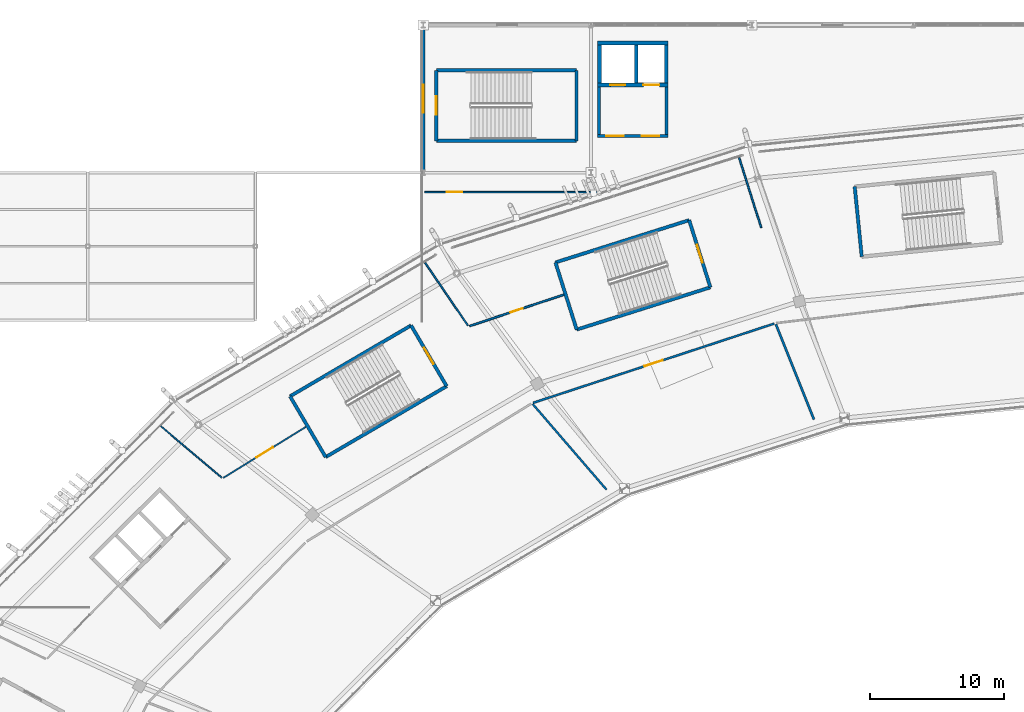
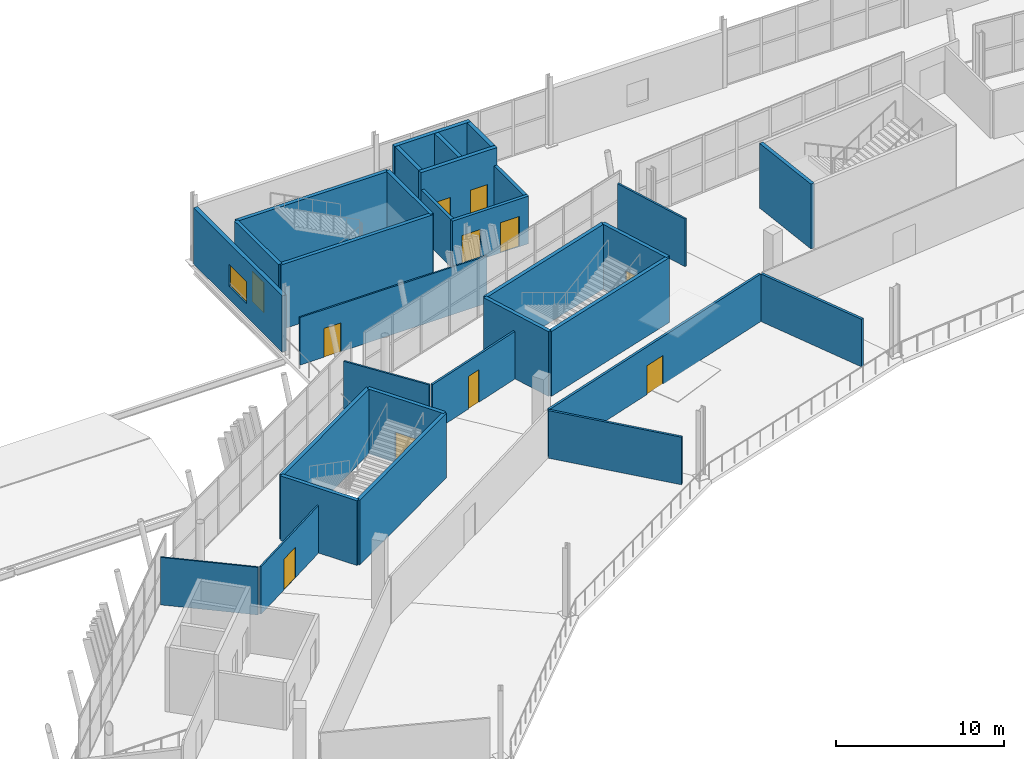
# One storey, part 133 of 179: 31 walls, 11 doors, 1 window, 12 openings.
"""IFC4 building model written with IfcOpenShell, lengths in metres."""

from ifc_helpers import new_model, si_unit, direction, frame, frame_2d, origin, place, context, subcontext, project, spatial, rectangle, extrude, material, layer, layer_set, type_object, element, fill, save


model = new_model("IFC4")

# Units and contexts
model_context = context("Model", 3, precision=1e-05, world=origin(), true_north=direction((0.0, 1.0)))
body_context = subcontext(model_context, "Body", "Model", "MODEL_VIEW")
ifc_project = project(units=[si_unit("LENGTHUNIT", "METRE"), si_unit("AREAUNIT", "SQUARE_METRE"), si_unit("VOLUMEUNIT", "CUBIC_METRE"), si_unit("PLANEANGLEUNIT", "RADIAN"), si_unit("MASSUNIT", "GRAM", prefix="KILO")], contexts=[model_context])

# Site, building, storey
site_placement = place(None, origin())
site = spatial("IfcSite", under=ifc_project, at=site_placement, CompositionType="ELEMENT")
building_placement = place(site_placement, origin())
building = spatial("IfcBuilding", under=site, at=building_placement, Name="Zlatoyarsky Gate Stadium", CompositionType="ELEMENT")
storey_placement = place(building_placement, frame((0.0, 0.0, 10.60009765625)))
storey = spatial("IfcBuildingStorey", under=building, at=storey_placement, Name="L02", CompositionType="ELEMENT", Elevation=10.60009765625)

# Wall
ifc_material_1 = material(Name="Double-stud acoustic gypsum partition", Category="gypsum")
ifc_layer_1 = layer(ifc_material_1, 0.169921875)
ifc_layer_set_1 = layer_set([ifc_layer_1], Name="Double-stud acoustic gypsum partition")
wall_type_1 = type_object("IfcWallType", Name="ACOUSTIC BROADCAST STUDIO WALL 170", PredefinedType="PARTITIONING", material=ifc_layer_set_1)
wall_1_placement = place(storey_placement, frame((91.1181640625, 130.602294921875, 0.0), z_axis=(0.0, 0.0, 1.0), x_axis=(-0.371401688327, 0.92847228602, 0.0)))
element("IfcWall", 1, at=wall_1_placement, inside=storey, type_object=wall_type_1, Name="L02 interior partition PRT-L02-IRD-07", PredefinedType="PARTITIONING", context=body_context, shape_type="SweptSolid", body=[
    extrude(rectangle(XDim=7.64501953125, YDim=0.169921875, at=frame_2d((3.822509765625, 0.0))), origin(), (0.0, 0.0, 1.0), 3.469970703125),
])

# Wall, opening, door
ifc_material_2 = material(Name="Moisture-resistant masonry partition", Category="masonry")
ifc_layer_2 = layer(ifc_material_2, 0.139892578125)
ifc_layer_set_2 = layer_set([ifc_layer_2], Name="Moisture-resistant masonry partition")
wall_type_2 = type_object("IfcWallType", Name="ATHLETE CHANGING BLOCK PARTITION 140", PredefinedType="PARTITIONING", material=ifc_layer_set_2)
wall_2_placement = place(storey_placement, frame((72.477294921875, 139.904296875, 0.0), z_axis=(0.0, 0.0, 1.0), x_axis=(-0.948673401139, -0.316257455203, 0.0)))
wall_2 = element("IfcWall", 2, at=wall_2_placement, inside=storey, type_object=wall_type_2, Name="L02 interior partition PRT-L02-OCC-07-1", PredefinedType="PARTITIONING", context=body_context, shape_type="SweptSolid", body=[
    extrude(rectangle(XDim=7.40087890625, YDim=0.139892578125, at=frame_2d((3.700439453125, 0.0))), origin(), (0.0, 0.0, 1.0), 3.469970703125),
])
opening_1_placement = place(wall_2_placement, frame((3.220458984375, 0.0, 0.0)))
opening_1 = element("IfcOpeningElement", 3, at=opening_1_placement, cuts=wall_2, Name="Opening D-L02-353", PredefinedType="OPENING", context=body_context, shape_type="SweptSolid", body=[
    extrude(rectangle(XDim=0.9599609375, YDim=2.3798828125, at=frame_2d((0.47998046875, 1.18994140625))), frame((0.0, 0.079833984375, 0.0), z_axis=(0.0, -1.0, 0.0), x_axis=(1.0, 0.0, 0.0)), (0.0, 0.0, 1.0), 0.159912109375),
])
ifc_material_3 = material(Name="Powder-coated steel fire door", Category="steel")
door_type_1 = type_object("IfcDoorType", Name="ACOUSTIC INTERIOR DOOR 960X2380", OperationType="NOTDEFINED", PredefinedType="DOOR", material=ifc_material_3)
door_1_placement = place(opening_1_placement, origin())
door_1 = element("IfcDoor", 4, at=door_1_placement, inside=storey, type_object=door_type_1, Name="L02 room door D-L02-353", OperationType="SINGLE_SWING_LEFT", OverallHeight=2.3798828125, OverallWidth=0.9599609375, PredefinedType="DOOR", context=body_context, shape_type="SweptSolid", body=[
    extrude(rectangle(XDim=0.9599609375, YDim=2.3798828125, at=frame_2d((0.47998046875, 1.18994140625))), frame((0.0, 0.02490234375, 0.0), z_axis=(0.0, -1.0, 0.0), x_axis=(1.0, 0.0, 0.0)), (0.0, 0.0, 1.0), 0.050048828125),
])
fill(opening_1, door_1)

# Walls
ifc_material_4 = material(Name="Metal-stud gypsum partition", Category="gypsum")
ifc_layer_3 = layer(ifc_material_4, 0.14990234375)
ifc_layer_set_3 = layer_set([ifc_layer_3], Name="Metal-stud gypsum partition")
wall_type_3 = type_object("IfcWallType", Name="CONCOURSE CORRIDOR PARTITION 150", PredefinedType="PARTITIONING", material=ifc_layer_set_3)
wall_3_placement = place(storey_placement, frame((75.6552734375, 125.377197265625, 0.0), z_axis=(0.0, 0.0, 1.0), x_axis=(-0.652829424735, 0.757504945331, 0.0)))
element("IfcWall", 5, at=wall_3_placement, inside=storey, type_object=wall_type_3, Name="L02 interior partition PRT-L02-IRD-08", PredefinedType="PARTITIONING", context=body_context, shape_type="SweptSolid", body=[
    extrude(rectangle(XDim=8.4150390625, YDim=0.14990234375, at=frame_2d((4.20751953125, 0.0))), origin(), (0.0, 0.0, 1.0), 3.469970703125),
])
ifc_material_5 = material(Name="Concrete C40/50", Category="concrete")
ifc_layer_4 = layer(ifc_material_5, 0.27001953125)
ifc_layer_set_4 = layer_set([ifc_layer_4], Name="Concrete C40/50")
wall_type_4 = type_object("IfcWallType", Name="CONCRETE LIFT SHAFT SHEAR WALL 270", PredefinedType="SHEAR", material=ifc_layer_set_4)
wall_4_placement = place(storey_placement, frame((80.25, 158.6650390625, 0.0), z_axis=(0.0, 0.0, 1.0), x_axis=(-1.0, 0.0, 0.0)))
element("IfcWall", 6, at=wall_4_placement, inside=storey, type_object=wall_type_4, Name="C5 L02 lift shaft rear wall", PredefinedType="SHEAR", context=body_context, shape_type="SweptSolid", body=[
    extrude(rectangle(XDim=5.25, YDim=0.27001953125, at=frame_2d((2.625, 0.0))), origin(), (0.0, 0.0, 1.0), 4.719970703125),
])
for number, where, z_axis, x_axis, name in (
    (7, (80.114990234375, 158.52001953125, 0.0), (0.0, 0.0, 1.0), (0.0, -1.0, 0.0), "C5 L02 lift shaft left wall"),
    (8, (75.135009765625, 158.52001953125, 0.0), (0.0, 0.0, 1.0), (0.0, -1.0, 0.0), "C5 L02 lift shaft right wall"),
    (9, (77.875, 158.52001953125, 0.0), (0.0, 0.0, 1.0), (0.0, -1.0, 0.0), "C5 L02 lift shaft divider 1"),
):
    element("IfcWall", number, at=place(storey_placement, frame(where, z_axis=z_axis, x_axis=x_axis)), inside=storey, type_object=wall_type_4, Name=name, PredefinedType="SHEAR", context=body_context, shape_type="SweptSolid", body=[
        extrude(rectangle(XDim=2.840087890625, YDim=0.27001953125, at=frame_2d((1.419921875, 0.0))), origin(), (0.0, 0.0, 1.0), 4.719970703125),
    ])

# Wall, openings, doors
wall_5_placement = place(storey_placement, frame((80.25, 155.534912109375, 0.0), z_axis=(0.0, 0.0, 1.0), x_axis=(-1.0, 0.0, 0.0)))
wall_5 = element("IfcWall", 10, at=wall_5_placement, inside=storey, type_object=wall_type_4, Name="C5 L02 lift landing front wall", PredefinedType="SHEAR", context=body_context, shape_type="SweptSolid", body=[
    extrude(rectangle(XDim=5.25, YDim=0.27001953125, at=frame_2d((2.625, 0.0))), origin(), (0.0, 0.0, 1.0), 4.719970703125),
])
opening_2_placement = place(wall_5_placement, frame((0.64990234375, 0.0, 0.0)))
opening_2 = element("IfcOpeningElement", 11, at=opening_2_placement, cuts=wall_5, Name="Opening LD-FL-05-L02", PredefinedType="OPENING", context=body_context, shape_type="SweptSolid", body=[
    extrude(rectangle(XDim=1.199951171875, YDim=2.25, at=frame_2d((0.60009765625, 1.125))), frame((0.0, 0.14501953125, 0.0), z_axis=(0.0, -1.0, 0.0), x_axis=(1.0, 0.0, 0.0)), (0.0, 0.0, 1.0), 0.2900390625),
])
opening_3_placement = place(wall_5_placement, frame((3.199951171875, 0.0, 0.0)))
opening_3 = element("IfcOpeningElement", 12, at=opening_3_placement, cuts=wall_5, Name="Opening LD-LF-09-L02", PredefinedType="OPENING", context=body_context, shape_type="SweptSolid", body=[
    extrude(rectangle(XDim=1.10009765625, YDim=2.199951171875, at=frame_2d((0.550048828125, 1.10009765625))), frame((0.0, 0.14501953125, 0.0), z_axis=(0.0, -1.0, 0.0), x_axis=(1.0, 0.0, 0.0)), (0.0, 0.0, 1.0), 0.2900390625),
])
door_type_2 = type_object("IfcDoorType", Name="STAINLESS LIFT LANDING SLIDING DOOR 1100X2200", OperationType="DOUBLE_DOOR_SLIDING", PredefinedType="DOOR", material=ifc_material_3)
door_2_placement = place(opening_3_placement, origin())
door_2 = element("IfcDoor", 13, at=door_2_placement, inside=storey, type_object=door_type_2, Name="Lift LF-09 L02 sliding landing door", OperationType="DOUBLE_DOOR_SLIDING", OverallHeight=2.199951171875, OverallWidth=1.10009765625, PredefinedType="DOOR", context=body_context, shape_type="SweptSolid", body=[
    extrude(rectangle(XDim=1.10009765625, YDim=2.199951171875, at=frame_2d((0.550048828125, 1.10009765625))), frame((0.0, 0.02490234375, 0.0), z_axis=(0.0, -1.0, 0.0), x_axis=(1.0, 0.0, 0.0)), (0.0, 0.0, 1.0), 0.050048828125),
])
fill(opening_3, door_2)
door_type_3 = type_object("IfcDoorType", Name="STAINLESS LIFT LANDING SLIDING DOOR 1200X2250", OperationType="DOUBLE_DOOR_SLIDING", PredefinedType="DOOR", material=ifc_material_3)
door_3_placement = place(opening_2_placement, origin())
door_3 = element("IfcDoor", 14, at=door_3_placement, inside=storey, type_object=door_type_3, Name="Lift FL-05 L02 sliding landing door", OperationType="DOUBLE_DOOR_SLIDING", OverallHeight=2.25, OverallWidth=1.199951171875, PredefinedType="DOOR", context=body_context, shape_type="SweptSolid", body=[
    extrude(rectangle(XDim=1.199951171875, YDim=2.25, at=frame_2d((0.60009765625, 1.125))), frame((0.0, 0.02490234375, 0.0), z_axis=(0.0, -1.0, 0.0), x_axis=(1.0, 0.0, 0.0)), (0.0, 0.0, 1.0), 0.050048828125),
])
fill(opening_2, door_3)

# Wall
ifc_layer_5 = layer(ifc_material_5, 0.25)
ifc_layer_set_5 = layer_set([ifc_layer_5], Name="Concrete C40/50")
wall_type_5 = type_object("IfcWallType", Name="CONCRETE STAIR CORE SHEAR WALL 250", PredefinedType="SHEAR", material=ifc_layer_set_5)
wall_6_placement = place(storey_placement, frame((94.15576171875, 147.95751953125, 0.0), z_axis=(0.0, 0.0, 1.0), x_axis=(0.100028593886, -0.994984562898, 0.0)))
element("IfcWall", 15, at=wall_6_placement, inside=storey, type_object=wall_type_5, Name="ST-04 L02 stair core far shear wall", PredefinedType="SHEAR", context=body_context, shape_type="SweptSolid", body=[
    extrude(rectangle(XDim=5.25, YDim=0.25, at=frame_2d((2.625, 0.0))), origin(), (0.0, 0.0, 1.0), 4.719970703125),
])

# Wall, opening, door
wall_7_placement = place(storey_placement, frame((63.74658203125, 133.083984375, 0.0), z_axis=(0.0, 0.0, 1.0), x_axis=(-0.505460490551, 0.862849750821, 0.0)))
wall_7 = element("IfcWall", 16, at=wall_7_placement, inside=storey, type_object=wall_type_5, Name="ST-05 L02 stair core entrance shear wall", PredefinedType="SHEAR", context=body_context, shape_type="SweptSolid", body=[
    extrude(rectangle(XDim=5.249755859375, YDim=0.25, at=frame_2d((2.625, 0.0))), origin(), (0.0, 0.0, 1.0), 4.719970703125),
])
opening_4_placement = place(wall_7_placement, frame((1.925048828125, 0.0, 0.0)))
opening_4 = element("IfcOpeningElement", 17, at=opening_4_placement, cuts=wall_7, Name="Opening SD-ST-05-L02", PredefinedType="OPENING", context=body_context, shape_type="SweptSolid", body=[
    extrude(rectangle(XDim=1.39990234375, YDim=2.199951171875, at=frame_2d((0.699951171875, 1.10009765625))), frame((0.0, 0.135009765625, 0.0), z_axis=(0.0, -1.0, 0.0), x_axis=(1.0, 0.0, 0.0)), (0.0, 0.0, 1.0), 0.27001953125),
])
door_type_4 = type_object("IfcDoorType", Name="STAIR CORE FIRE EXIT DOOR 1400X2200", OperationType="NOTDEFINED", PredefinedType="DOOR", material=ifc_material_3)
door_4_placement = place(opening_4_placement, frame((1.39990234375, 0.0, 0.0), z_axis=(0.0, 0.0, 1.0), x_axis=(-1.0, 0.0, 0.0)))
door_4 = element("IfcDoor", 18, at=door_4_placement, inside=storey, type_object=door_type_4, Name="ST-05 L02 stair fire door", OperationType="SINGLE_SWING_RIGHT", OverallHeight=2.199951171875, OverallWidth=1.39990234375, PredefinedType="DOOR", context=body_context, shape_type="SweptSolid", body=[
    extrude(rectangle(XDim=1.39990234375, YDim=2.199951171875, at=frame_2d((0.699951171875, 1.10009765625))), frame((0.0, 0.02490234375, 0.0), z_axis=(0.0, -1.0, 0.0), x_axis=(1.0, 0.0, 0.0)), (0.0, 0.0, 1.0), 0.050048828125),
])
fill(opening_4, door_4)

# Walls
wall_8_placement = place(storey_placement, frame((61.093017578125, 137.61376953125, 0.0), z_axis=(0.0, 0.0, 1.0), x_axis=(-0.862854686184, -0.505452065513, 0.0)))
element("IfcWall", 19, at=wall_8_placement, inside=storey, type_object=wall_type_5, Name="ST-05 L02 stair core left shear wall", PredefinedType="SHEAR", context=body_context, shape_type="SweptSolid", body=[
    extrude(rectangle(XDim=10.449951171875, YDim=0.25, at=frame_2d((5.22509765625, 0.0))), origin(), (0.0, 0.0, 1.0), 4.719970703125),
])
wall_9_placement = place(storey_placement, frame((52.076171875, 132.331787109375, 0.0), z_axis=(0.0, 0.0, 1.0), x_axis=(0.505474830399, -0.862841350327, 0.0)))
element("IfcWall", 20, at=wall_9_placement, inside=storey, type_object=wall_type_5, Name="ST-05 L02 stair core far shear wall", PredefinedType="SHEAR", context=body_context, shape_type="SweptSolid", body=[
    extrude(rectangle(XDim=5.250244140625, YDim=0.25, at=frame_2d((2.625, 0.0))), origin(), (0.0, 0.0, 1.0), 4.719970703125),
])
wall_10_placement = place(storey_placement, frame((54.72998046875, 127.8017578125, 0.0), z_axis=(0.0, 0.0, 1.0), x_axis=(0.862838527648, 0.505479648657, 0.0)))
element("IfcWall", 21, at=wall_10_placement, inside=storey, type_object=wall_type_5, Name="ST-05 L02 stair core right shear wall", PredefinedType="SHEAR", context=body_context, shape_type="SweptSolid", body=[
    extrude(rectangle(XDim=10.449951171875, YDim=0.25, at=frame_2d((5.22509765625, 0.0))), origin(), (0.0, 0.0, 1.0), 4.719970703125),
])

# Wall, opening, door
wall_11_placement = place(storey_placement, frame((83.400390625, 140.4521484375, 0.0), z_axis=(0.0, 0.0, 1.0), x_axis=(-0.30152749866, 0.953457480726, 0.0)))
wall_11 = element("IfcWall", 22, at=wall_11_placement, inside=storey, type_object=wall_type_5, Name="ST-14 L02 stair core entrance shear wall", PredefinedType="SHEAR", context=body_context, shape_type="SweptSolid", body=[
    extrude(rectangle(XDim=5.25, YDim=0.25, at=frame_2d((2.625, 0.0))), origin(), (0.0, 0.0, 1.0), 4.719970703125),
])
opening_5_placement = place(wall_11_placement, frame((1.925048828125, 0.0, 0.0)))
opening_5 = element("IfcOpeningElement", 23, at=opening_5_placement, cuts=wall_11, Name="Opening SD-ST-14-L02", PredefinedType="OPENING", context=body_context, shape_type="SweptSolid", body=[
    extrude(rectangle(XDim=1.39990234375, YDim=2.199951171875, at=frame_2d((0.699951171875, 1.10009765625))), frame((0.0, 0.135009765625, 0.0), z_axis=(0.0, -1.0, 0.0), x_axis=(1.0, 0.0, 0.0)), (0.0, 0.0, 1.0), 0.27001953125),
])
door_5_placement = place(opening_5_placement, frame((1.39990234375, 0.0, 0.0), z_axis=(0.0, 0.0, 1.0), x_axis=(-1.0, 0.0, 0.0)))
door_5 = element("IfcDoor", 24, at=door_5_placement, inside=storey, type_object=door_type_4, Name="ST-14 L02 stair fire door", OperationType="SINGLE_SWING_RIGHT", OverallHeight=2.199951171875, OverallWidth=1.39990234375, PredefinedType="DOOR", context=body_context, shape_type="SweptSolid", body=[
    extrude(rectangle(XDim=1.39990234375, YDim=2.199951171875, at=frame_2d((0.699951171875, 1.10009765625))), frame((0.0, 0.02490234375, 0.0), z_axis=(0.0, -1.0, 0.0), x_axis=(1.0, 0.0, 0.0)), (0.0, 0.0, 1.0), 0.050048828125),
])
fill(opening_5, door_5)

# Walls
wall_12_placement = place(storey_placement, frame((81.8173828125, 145.457763671875, 0.0), z_axis=(0.0, 0.0, 1.0), x_axis=(-0.953459710305, -0.301520448438, 0.0)))
element("IfcWall", 25, at=wall_12_placement, inside=storey, type_object=wall_type_5, Name="ST-14 L02 stair core left shear wall", PredefinedType="SHEAR", context=body_context, shape_type="SweptSolid", body=[
    extrude(rectangle(XDim=10.449951171875, YDim=0.25, at=frame_2d((5.22509765625, 0.0))), origin(), (0.0, 0.0, 1.0), 4.719970703125),
])
wall_13_placement = place(storey_placement, frame((71.853759765625, 142.306884765625, 0.0), z_axis=(0.0, 0.0, 1.0), x_axis=(0.30152749866, -0.953457480726, 0.0)))
element("IfcWall", 26, at=wall_13_placement, inside=storey, type_object=wall_type_5, Name="ST-14 L02 stair core far shear wall", PredefinedType="SHEAR", context=body_context, shape_type="SweptSolid", body=[
    extrude(rectangle(XDim=5.25, YDim=0.25, at=frame_2d((2.625, 0.0))), origin(), (0.0, 0.0, 1.0), 4.719970703125),
])
wall_14_placement = place(storey_placement, frame((73.436767578125, 137.30126953125, 0.0), z_axis=(0.0, 0.0, 1.0), x_axis=(0.953459710305, 0.301520448438, 0.0)))
element("IfcWall", 27, at=wall_14_placement, inside=storey, type_object=wall_type_5, Name="ST-14 L02 stair core right shear wall", PredefinedType="SHEAR", context=body_context, shape_type="SweptSolid", body=[
    extrude(rectangle(XDim=10.449951171875, YDim=0.25, at=frame_2d((5.22509765625, 0.0))), origin(), (0.0, 0.0, 1.0), 4.719970703125),
])

# Wall, opening, door
wall_15_placement = place(storey_placement, frame((62.97509765625, 156.625, 0.0), z_axis=(0.0, 0.0, 1.0), x_axis=(0.0, -1.0, 0.0)))
wall_15 = element("IfcWall", 28, at=wall_15_placement, inside=storey, type_object=wall_type_5, Name="ST-31 L02 stair core entrance shear wall", PredefinedType="SHEAR", context=body_context, shape_type="SweptSolid", body=[
    extrude(rectangle(XDim=5.25, YDim=0.25, at=frame_2d((2.625, 0.0))), origin(), (0.0, 0.0, 1.0), 4.719970703125),
])
opening_6_placement = place(wall_15_placement, frame((1.925048828125, 0.0, 0.0)))
opening_6 = element("IfcOpeningElement", 29, at=opening_6_placement, cuts=wall_15, Name="Opening SD-ST-31-L02", PredefinedType="OPENING", context=body_context, shape_type="SweptSolid", body=[
    extrude(rectangle(XDim=1.39990234375, YDim=2.199951171875, at=frame_2d((0.699951171875, 1.10009765625))), frame((0.0, 0.135009765625, 0.0), z_axis=(0.0, -1.0, 0.0), x_axis=(1.0, 0.0, 0.0)), (0.0, 0.0, 1.0), 0.27001953125),
])
door_6_placement = place(opening_6_placement, frame((1.39990234375, 0.0, 0.0), z_axis=(0.0, 0.0, 1.0), x_axis=(-1.0, 0.0, 0.0)))
door_6 = element("IfcDoor", 30, at=door_6_placement, inside=storey, type_object=door_type_4, Name="ST-31 L02 stair fire door", OperationType="SINGLE_SWING_RIGHT", OverallHeight=2.199951171875, OverallWidth=1.39990234375, PredefinedType="DOOR", context=body_context, shape_type="SweptSolid", body=[
    extrude(rectangle(XDim=1.39990234375, YDim=2.199951171875, at=frame_2d((0.699951171875, 1.10009765625))), frame((0.0, 0.02490234375, 0.0), z_axis=(0.0, -1.0, 0.0), x_axis=(1.0, 0.0, 0.0)), (0.0, 0.0, 1.0), 0.050048828125),
])
fill(opening_6, door_6)

# Walls
wall_16_placement = place(storey_placement, frame((62.97509765625, 151.375, 0.0), z_axis=(0.0, 0.0, 1.0), x_axis=(1.0, 0.0, 0.0)))
element("IfcWall", 31, at=wall_16_placement, inside=storey, type_object=wall_type_5, Name="ST-31 L02 stair core left shear wall", PredefinedType="SHEAR", context=body_context, shape_type="SweptSolid", body=[
    extrude(rectangle(XDim=10.449951171875, YDim=0.25, at=frame_2d((5.22509765625, 0.0))), origin(), (0.0, 0.0, 1.0), 4.719970703125),
])
wall_17_placement = place(storey_placement, frame((73.425048828125, 151.375, 0.0), z_axis=(0.0, 0.0, 1.0), x_axis=(0.0, 1.0, 0.0)))
element("IfcWall", 32, at=wall_17_placement, inside=storey, type_object=wall_type_5, Name="ST-31 L02 stair core far shear wall", PredefinedType="SHEAR", context=body_context, shape_type="SweptSolid", body=[
    extrude(rectangle(XDim=5.25, YDim=0.25, at=frame_2d((2.625, 0.0))), origin(), (0.0, 0.0, 1.0), 4.719970703125),
])
wall_18_placement = place(storey_placement, frame((73.425048828125, 156.625, 0.0), z_axis=(0.0, 0.0, 1.0), x_axis=(-1.0, 0.0, 0.0)))
element("IfcWall", 33, at=wall_18_placement, inside=storey, type_object=wall_type_5, Name="ST-31 L02 stair core right shear wall", PredefinedType="SHEAR", context=body_context, shape_type="SweptSolid", body=[
    extrude(rectangle(XDim=10.449951171875, YDim=0.25, at=frame_2d((5.22509765625, 0.0))), origin(), (0.0, 0.0, 1.0), 4.719970703125),
])
ifc_material_6 = material(Name="Autoclaved aerated concrete masonry EI 120", Category="masonry")
ifc_layer_6 = layer(ifc_material_6, 0.219970703125)
ifc_layer_set_6 = layer_set([ifc_layer_6], Name="Autoclaved aerated concrete masonry EI 120")
wall_type_6 = type_object("IfcWallType", Name="FIREFIGHTING LOBBY RATED WALL 220", PredefinedType="PARTITIONING", material=ifc_layer_set_6)
for number, where, z_axis, x_axis, name in (
    (34, (80.139892578125, 155.3798828125, 0.0), (0.0, 0.0, 1.0), (0.0, -1.0, 0.0), "C5 L02 firefighting lobby left wall"),
    (35, (75.110107421875, 155.3798828125, 0.0), (0.0, 0.0, 1.0), (0.0, -1.0, 0.0), "C5 L02 firefighting lobby right wall"),
):
    element("IfcWall", number, at=place(storey_placement, frame(where, z_axis=z_axis, x_axis=x_axis)), inside=storey, type_object=wall_type_6, Name=name, PredefinedType="PARTITIONING", context=body_context, shape_type="SweptSolid", body=[
        extrude(rectangle(XDim=3.52978515625, YDim=0.219970703125, at=frame_2d((1.764892578125, 0.0))), origin(), (0.0, 0.0, 1.0), 3.469970703125),
    ])

# Wall, openings, doors
wall_19_placement = place(storey_placement, frame((80.25, 151.739990234375, 0.0), z_axis=(0.0, 0.0, 1.0), x_axis=(-1.0, 0.0, 0.0)))
wall_19 = element("IfcWall", 36, at=wall_19_placement, inside=storey, type_object=wall_type_6, Name="C5 L02 firefighting lobby front wall", PredefinedType="PARTITIONING", context=body_context, shape_type="SweptSolid", body=[
    extrude(rectangle(XDim=5.25, YDim=0.219970703125, at=frame_2d((2.625, 0.0))), origin(), (0.0, 0.0, 1.0), 3.469970703125),
])
opening_7_placement = place(wall_19_placement, frame((0.64990234375, 0.0, 0.0)))
opening_7 = element("IfcOpeningElement", 37, at=opening_7_placement, cuts=wall_19, Name="Opening FD-C5-L02-A", PredefinedType="OPENING", context=body_context, shape_type="SweptSolid", body=[
    extrude(rectangle(XDim=1.300048828125, YDim=2.199951171875, at=frame_2d((0.64990234375, 1.10009765625))), frame((0.0, 0.119873046875, 0.0), z_axis=(0.0, -1.0, 0.0), x_axis=(1.0, 0.0, 0.0)), (0.0, 0.0, 1.0), 0.239990234375),
])
opening_8_placement = place(wall_19_placement, frame((3.300048828125, 0.0, 0.0)))
opening_8 = element("IfcOpeningElement", 38, at=opening_8_placement, cuts=wall_19, Name="Opening FD-C5-L02-B", PredefinedType="OPENING", context=body_context, shape_type="SweptSolid", body=[
    extrude(rectangle(XDim=1.300048828125, YDim=2.199951171875, at=frame_2d((0.64990234375, 1.10009765625))), frame((0.0, 0.119873046875, 0.0), z_axis=(0.0, -1.0, 0.0), x_axis=(1.0, 0.0, 0.0)), (0.0, 0.0, 1.0), 0.239990234375),
])
door_type_5 = type_object("IfcDoorType", Name="FIREFIGHTING LOBBY FIRE DOOR 1300X2200", OperationType="NOTDEFINED", PredefinedType="DOOR", material=ifc_material_3)
door_7_placement = place(opening_7_placement, origin())
door_7 = element("IfcDoor", 39, at=door_7_placement, inside=storey, type_object=door_type_5, Name="C5 L02 firefighting lobby fire door FD-C5-L02-A", OperationType="SINGLE_SWING_LEFT", OverallHeight=2.199951171875, OverallWidth=1.300048828125, PredefinedType="DOOR", context=body_context, shape_type="SweptSolid", body=[
    extrude(rectangle(XDim=1.300048828125, YDim=2.199951171875, at=frame_2d((0.64990234375, 1.10009765625))), frame((0.0, 0.02490234375, 0.0), z_axis=(0.0, -1.0, 0.0), x_axis=(1.0, 0.0, 0.0)), (0.0, 0.0, 1.0), 0.050048828125),
])
fill(opening_7, door_7)
door_8_placement = place(opening_8_placement, origin())
door_8 = element("IfcDoor", 40, at=door_8_placement, inside=storey, type_object=door_type_5, Name="C5 L02 firefighting lobby fire door FD-C5-L02-B", OperationType="SINGLE_SWING_RIGHT", OverallHeight=2.199951171875, OverallWidth=1.300048828125, PredefinedType="DOOR", context=body_context, shape_type="SweptSolid", body=[
    extrude(rectangle(XDim=1.300048828125, YDim=2.199951171875, at=frame_2d((0.64990234375, 1.10009765625))), frame((0.0, 0.02490234375, 0.0), z_axis=(0.0, -1.0, 0.0), x_axis=(1.0, 0.0, 0.0)), (0.0, 0.0, 1.0), 0.050048828125),
])
fill(opening_8, door_8)

# Wall, opening, door
ifc_material_7 = material(Name="Acoustic metal-stud gypsum partition", Category="gypsum")
ifc_layer_7 = layer(ifc_material_7, 0.159912109375)
ifc_layer_set_7 = layer_set([ifc_layer_7], Name="Acoustic metal-stud gypsum partition")
wall_type_7 = type_object("IfcWallType", Name="HOSPITALITY SUITE PARTITION 160", PredefinedType="PARTITIONING", material=ifc_layer_set_7)
wall_20_placement = place(storey_placement, frame((88.16650390625, 137.7529296875, 0.0), z_axis=(0.0, 0.0, 1.0), x_axis=(-0.949992120634, -0.31227387136, 0.0)))
wall_20 = element("IfcWall", 41, at=wall_20_placement, inside=storey, type_object=wall_type_7, Name="L02 interior partition PRT-L02-ICC-07", PredefinedType="PARTITIONING", context=body_context, shape_type="SweptSolid", body=[
    extrude(rectangle(XDim=18.92626953125, YDim=0.159912109375, at=frame_2d((9.463134765625, 0.0))), origin(), (0.0, 0.0, 1.0), 3.469970703125),
])
opening_9_placement = place(wall_20_placement, frame((8.7431640625, 0.0, 0.0)))
opening_9 = element("IfcOpeningElement", 42, at=opening_9_placement, cuts=wall_20, Name="Opening D-L02-301", PredefinedType="OPENING", context=body_context, shape_type="SweptSolid", body=[
    extrude(rectangle(XDim=1.43994140625, YDim=2.10009765625, at=frame_2d((0.719970703125, 1.050048828125))), frame((0.0, 0.08984375, 0.0), z_axis=(0.0, -1.0, 0.0), x_axis=(1.0, 0.0, 0.0)), (0.0, 0.0, 1.0), 0.179931640625),
])
door_type_6 = type_object("IfcDoorType", Name="ACOUSTIC INTERIOR DOOR 1440X2100", OperationType="NOTDEFINED", PredefinedType="DOOR", material=ifc_material_3)
door_9_placement = place(opening_9_placement, origin())
door_9 = element("IfcDoor", 43, at=door_9_placement, inside=storey, type_object=door_type_6, Name="L02 room door D-L02-301", OperationType="SINGLE_SWING_RIGHT", OverallHeight=2.10009765625, OverallWidth=1.43994140625, PredefinedType="DOOR", context=body_context, shape_type="SweptSolid", body=[
    extrude(rectangle(XDim=1.43994140625, YDim=2.10009765625, at=frame_2d((0.719970703125, 1.050048828125))), frame((0.0, 0.02490234375, 0.0), z_axis=(0.0, -1.0, 0.0), x_axis=(1.0, 0.0, 0.0)), (0.0, 0.0, 1.0), 0.050048828125),
])
fill(opening_9, door_9)

# Wall, opening, window
ifc_material_8 = material(Name="Precast concrete C40/50 architectural panel", Category="concrete")
ifc_layer_8 = layer(ifc_material_8, 0.280029296875)
ifc_layer_set_8 = layer_set([ifc_layer_8], Name="Precast concrete C40/50 architectural panel")
wall_type_8 = type_object("IfcWallType", Name="INSULATED WING SPANDREL WALL 280", PredefinedType="STANDARD", material=ifc_layer_set_8)
wall_21_placement = place(storey_placement, frame((62.0, 149.197021484375, 0.0), z_axis=(0.0, 0.0, 1.0), x_axis=(0.0, 1.0, 0.0)))
wall_21 = element("IfcWall", 44, at=wall_21_placement, inside=storey, type_object=wall_type_8, Name="V2_NORTH L02 W exterior wall", PredefinedType="STANDARD", context=body_context, shape_type="SweptSolid", body=[
    extrude(rectangle(XDim=10.60595703125, YDim=0.280029296875, at=frame_2d((5.302978515625, 0.0))), origin(), (0.0, 0.0, 1.0), 4.099853515625),
])
opening_10_placement = place(wall_21_placement, frame((4.2529296875, 0.0, 0.949951171875)))
opening_10 = element("IfcOpeningElement", 45, at=opening_10_placement, cuts=wall_21, Name="Opening WN-14", PredefinedType="OPENING", context=body_context, shape_type="SweptSolid", body=[
    extrude(rectangle(XDim=2.10009765625, YDim=1.60009765625, at=frame_2d((1.050048828125, 0.800048828125))), frame((0.0, 0.14990234375, 0.0), z_axis=(0.0, -1.0, 0.0), x_axis=(1.0, 0.0, 0.0)), (0.0, 0.0, 1.0), 0.300048828125),
])
ifc_material_9 = material(Name="Triple-glazed thermally broken aluminium window", Category="aluminium")
window_type = type_object("IfcWindowType", Name="TRIPLE GLAZED ALUMINIUM WINDOW 2100X1600", PartitioningType="SINGLE_PANEL", PredefinedType="WINDOW", material=ifc_material_9)
window_placement = place(opening_10_placement, origin())
window = element("IfcWindow", 46, at=window_placement, inside=storey, type_object=window_type, Name="Exterior window WIN-L02-014", OverallHeight=1.60009765625, OverallWidth=2.10009765625, PartitioningType="SINGLE_PANEL", PredefinedType="WINDOW", context=body_context, shape_type="SweptSolid", body=[
    extrude(rectangle(XDim=2.10009765625, YDim=1.60009765625, at=frame_2d((1.050048828125, 0.800048828125))), frame((0.0, 0.030029296875, 0.0), z_axis=(0.0, -1.0, 0.0), x_axis=(1.0, 0.0, 0.0)), (0.0, 0.0, 1.0), 0.06005859375),
])
fill(opening_10, window)

# Wall, opening, door
ifc_layer_9 = layer(ifc_material_4, 0.110107421875)
ifc_layer_set_9 = layer_set([ifc_layer_9], Name="Metal-stud gypsum partition")
wall_type_9 = type_object("IfcWallType", Name="KIOSK SERVICE PARTITION 110", PredefinedType="PARTITIONING", material=ifc_layer_set_9)
wall_22_placement = place(storey_placement, frame((53.259033203125, 130.055419921875, 0.0), z_axis=(0.0, 0.0, 1.0), x_axis=(-0.850883722478, -0.525354062344, 0.0)))
wall_22 = element("IfcWall", 47, at=wall_22_placement, inside=storey, type_object=wall_type_9, Name="L02 interior partition PRT-L02-OCC-08-1", PredefinedType="PARTITIONING", context=body_context, shape_type="SweptSolid", body=[
    extrude(rectangle(XDim=7.226806640625, YDim=0.110107421875, at=frame_2d((3.61328125, 0.0))), origin(), (0.0, 0.0, 1.0), 3.469970703125),
])
opening_11_placement = place(wall_22_placement, frame((2.893310546875, 0.0, 0.0)))
opening_11 = element("IfcOpeningElement", 48, at=opening_11_placement, cuts=wall_22, Name="Opening D-L02-356", PredefinedType="OPENING", context=body_context, shape_type="SweptSolid", body=[
    extrude(rectangle(XDim=1.43994140625, YDim=2.239990234375, at=frame_2d((0.719970703125, 1.1201171875))), frame((0.0, 0.06494140625, 0.0), z_axis=(0.0, -1.0, 0.0), x_axis=(1.0, 0.0, 0.0)), (0.0, 0.0, 1.0), 0.130126953125),
])
ifc_material_10 = material(Name="Solid-core oak veneer acoustic door", Category="wood")
door_type_7 = type_object("IfcDoorType", Name="ACOUSTIC INTERIOR DOOR 1440X2240", OperationType="NOTDEFINED", PredefinedType="DOOR", material=ifc_material_10)
door_10_placement = place(opening_11_placement, origin())
door_10 = element("IfcDoor", 49, at=door_10_placement, inside=storey, type_object=door_type_7, Name="L02 room door D-L02-356", OperationType="SINGLE_SWING_RIGHT", OverallHeight=2.239990234375, OverallWidth=1.43994140625, PredefinedType="DOOR", context=body_context, shape_type="SweptSolid", body=[
    extrude(rectangle(XDim=1.43994140625, YDim=2.239990234375, at=frame_2d((0.719970703125, 1.1201171875))), frame((0.0, 0.02490234375, 0.0), z_axis=(0.0, -1.0, 0.0), x_axis=(1.0, 0.0, 0.0)), (0.0, 0.0, 1.0), 0.050048828125),
])
fill(opening_11, door_10)

wall_23_placement = place(storey_placement, frame((62.10498046875, 147.550048828125, 0.0), z_axis=(0.0, 0.0, 1.0), x_axis=(1.0, 0.0, 0.0)))
wall_23 = element("IfcWall", 50, at=wall_23_placement, inside=storey, type_object=wall_type_9, Name="L02 interior partition PRT-L02-V2NC-S1", PredefinedType="PARTITIONING", context=body_context, shape_type="SweptSolid", body=[
    extrude(rectangle(XDim=12.876953125, YDim=0.110107421875, at=frame_2d((6.4384765625, 0.0))), origin(), (0.0, 0.0, 1.0), 3.469970703125),
])
opening_12_placement = place(wall_23_placement, frame((1.64990234375, 0.0, 0.0)))
opening_12 = element("IfcOpeningElement", 51, at=opening_12_placement, cuts=wall_23, Name="Opening D-L02-386", PredefinedType="OPENING", context=body_context, shape_type="SweptSolid", body=[
    extrude(rectangle(XDim=1.159912109375, YDim=2.10009765625, at=frame_2d((0.580078125, 1.050048828125))), frame((0.0, 0.06494140625, 0.0), z_axis=(0.0, -1.0, 0.0), x_axis=(1.0, 0.0, 0.0)), (0.0, 0.0, 1.0), 0.130126953125),
])
door_type_8 = type_object("IfcDoorType", Name="ACOUSTIC INTERIOR DOOR 1160X2100", OperationType="NOTDEFINED", PredefinedType="DOOR", material=ifc_material_10)
door_11_placement = place(opening_12_placement, origin())
door_11 = element("IfcDoor", 52, at=door_11_placement, inside=storey, type_object=door_type_8, Name="L02 room door D-L02-386", OperationType="SINGLE_SWING_RIGHT", OverallHeight=2.10009765625, OverallWidth=1.159912109375, PredefinedType="DOOR", context=body_context, shape_type="SweptSolid", body=[
    extrude(rectangle(XDim=1.159912109375, YDim=2.10009765625, at=frame_2d((0.580078125, 1.050048828125))), frame((0.0, 0.02490234375, 0.0), z_axis=(0.0, -1.0, 0.0), x_axis=(1.0, 0.0, 0.0)), (0.0, 0.0, 1.0), 0.050048828125),
])
fill(opening_12, door_11)

# Walls
ifc_layer_10 = layer(ifc_material_4, 0.10009765625)
ifc_layer_set_10 = layer_set([ifc_layer_10], Name="Metal-stud gypsum partition")
wall_type_10 = type_object("IfcWallType", Name="LIGHT STORAGE PARTITION 100", PredefinedType="PARTITIONING", material=ifc_layer_set_10)
wall_24_placement = place(storey_placement, frame((46.972900390625, 126.26904296875, 0.0), z_axis=(0.0, 0.0, 1.0), x_axis=(-0.762814903862, 0.646616905475, 0.0)))
element("IfcWall", 53, at=wall_24_placement, inside=storey, type_object=wall_type_10, Name="L02 interior partition PRT-L02-ORD-08R", PredefinedType="PARTITIONING", context=body_context, shape_type="SweptSolid", body=[
    extrude(rectangle(XDim=5.918701171875, YDim=0.10009765625, at=frame_2d((2.95947265625, 0.0))), origin(), (0.0, 0.0, 1.0), 3.469970703125),
])
ifc_layer_11 = layer(ifc_material_4, 0.1201171875)
ifc_layer_set_11 = layer_set([ifc_layer_11], Name="Metal-stud gypsum partition")
wall_type_11 = type_object("IfcWallType", Name="OFFICE AND PRESS PARTITION 120", PredefinedType="PARTITIONING", material=ifc_layer_set_11)
wall_25_placement = place(storey_placement, frame((65.327880859375, 137.607177734375, 0.0), z_axis=(0.0, 0.0, 1.0), x_axis=(-0.562866137451, 0.82654806957, 0.0)))
element("IfcWall", 54, at=wall_25_placement, inside=storey, type_object=wall_type_11, Name="L02 interior partition PRT-L02-ORD-07R", PredefinedType="PARTITIONING", context=body_context, shape_type="SweptSolid", body=[
    extrude(rectangle(XDim=5.66650390625, YDim=0.1201171875, at=frame_2d((2.833251953125, 0.0))), origin(), (0.0, 0.0, 1.0), 3.469970703125),
])
ifc_material_11 = material(Name="Moisture-resistant tile-backed partition", Category="gypsum")
ifc_layer_12 = layer(ifc_material_11, 0.1298828125)
ifc_layer_set_12 = layer_set([ifc_layer_12], Name="Moisture-resistant tile-backed partition")
wall_type_12 = type_object("IfcWallType", Name="SANITARY WET ROOM PARTITION 130", PredefinedType="PARTITIONING", material=ifc_layer_set_12)
wall_26_placement = place(storey_placement, frame((87.18896484375, 144.898193359375, 0.0), z_axis=(0.0, 0.0, 1.0), x_axis=(-0.301316981694, 0.953524030396, 0.0)))
element("IfcWall", 55, at=wall_26_placement, inside=storey, type_object=wall_type_12, Name="L02 interior partition PRT-L02-ORD-07L", PredefinedType="PARTITIONING", context=body_context, shape_type="SweptSolid", body=[
    extrude(rectangle(XDim=5.4765625, YDim=0.1298828125, at=frame_2d((2.73828125, 0.0))), origin(), (0.0, 0.0, 1.0), 3.469970703125),
])

save(model, "model.ifc")
